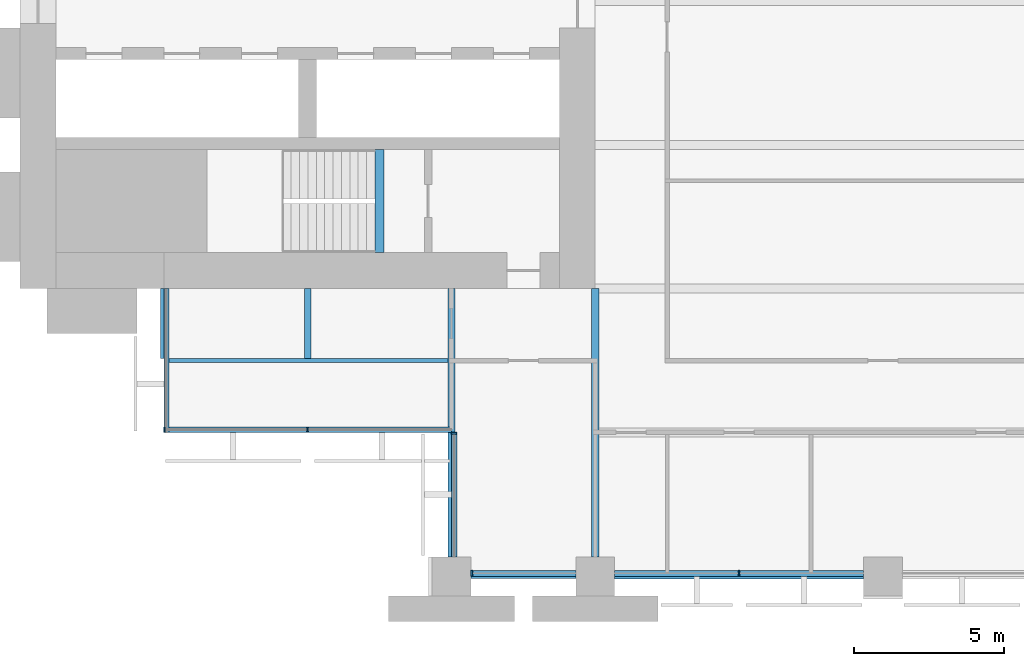
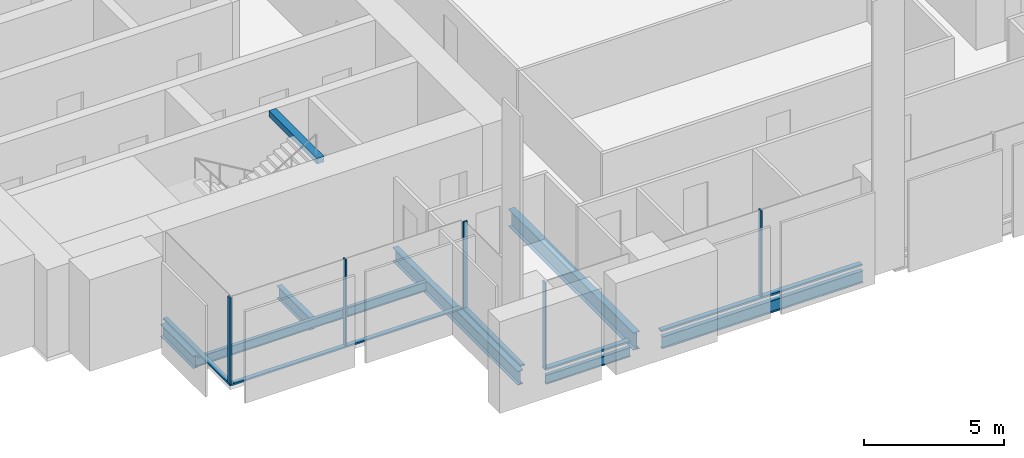
# One storey, part 2 of 14: 10 members, 8 beams, 4 elements without a shape of their own.
"""IFC4 building model written with IfcOpenShell, lengths in metres."""

from ifc_helpers import new_model, si_unit, direction, frame, origin, origin_2d, place, context, subcontext, project, spatial, rectangle, i_section, extrude, material, material_profile, profile_set, type_object, element, aggregate, save


model = new_model("IFC4")

# Units and contexts
model_context = context("Model", 3, precision=1e-05, world=origin(), true_north=direction((0.0, 1.0)))
body_context = subcontext(model_context, "Body", "Model", "MODEL_VIEW")
ifc_project = project(units=[si_unit("LENGTHUNIT", "METRE"), si_unit("AREAUNIT", "SQUARE_METRE"), si_unit("VOLUMEUNIT", "CUBIC_METRE"), si_unit("PLANEANGLEUNIT", "RADIAN"), si_unit("MASSUNIT", "GRAM", prefix="KILO")], contexts=[model_context])

# Site, building, storey
site_placement = place(None, origin())
site = spatial("IfcSite", under=ifc_project, at=site_placement, CompositionType="ELEMENT")
building_placement = place(site_placement, origin())
building = spatial("IfcBuilding", under=site, at=building_placement, Name="Baori Bourse Tower", CompositionType="ELEMENT")
storey_placement = place(building_placement, frame((0.0, 0.0, 63.0)))
storey = spatial("IfcBuildingStorey", under=building, at=storey_placement, Name="L13", CompositionType="ELEMENT", Elevation=63.0)

# Curtain wall, members
ifc_material_1 = material(Name="Pale anodised aluminium", Category="aluminium")
curtain_wall_type_1 = type_object("IfcCurtainWallType", Name="CW1 Curtain wall", PredefinedType="NOTDEFINED", material=ifc_material_1)
curtain_wall_1_placement = place(storey_placement, origin())
curtain_wall_1 = element("IfcCurtainWall", 1, at=curtain_wall_1_placement, inside=storey, type_object=curtain_wall_type_1, Name="Curtain wall CW1 L13 11", PredefinedType="NOTDEFINED")
ifc_material_2 = material(Name="Pale anodised aluminium", Category="aluminium")
ifc_material_profile_1 = material_profile(ifc_material_2, rectangle(XDim=0.199951171875, YDim=0.06005859375, at=origin_2d()), Name="Mullion 60x200")
ifc_profile_set_1 = profile_set([ifc_material_profile_1], Name="Pale anodised aluminium")
member_type_1 = type_object("IfcMemberType", Name="CW1 Curtain wall mullion", PredefinedType="MULLION", material=ifc_profile_set_1)
member_1_placement = place(storey_placement, frame((15.080078125, 0.10009765625, 0.080078125), z_axis=(0.0, 0.0, 1.0), x_axis=(0.0, 1.0, 0.0)))
member_1 = element("IfcMember", 2, at=member_1_placement, type_object=member_type_1, Name="Curtain wall CW1 mullion", PredefinedType="MULLION", context=body_context, shape_type="SweptSolid", body=[
    extrude(rectangle(XDim=0.199951171875, YDim=0.06005859375, at=origin_2d()), origin(), (0.0, 0.0, 1.0), 3.760009765625),
])
member_2_placement = place(storey_placement, frame((24.0, 0.10009765625, 0.080078125), z_axis=(0.0, 0.0, 1.0), x_axis=(0.0, 1.0, 0.0)))
member_2 = element("IfcMember", 3, at=member_2_placement, type_object=member_type_1, Name="Curtain wall CW1 mullion", PredefinedType="MULLION", context=body_context, shape_type="SweptSolid", body=[
    extrude(rectangle(XDim=0.199951171875, YDim=0.06005859375, at=origin_2d()), origin(), (0.0, 0.0, 1.0), 3.760009765625),
])
ifc_material_3 = material(Name="Pale anodised aluminium", Category="aluminium")
ifc_material_profile_2 = material_profile(ifc_material_3, rectangle(XDim=0.199951171875, YDim=0.080078125, at=origin_2d()), Name="Transom 80x200")
ifc_profile_set_2 = profile_set([ifc_material_profile_2], Name="Pale anodised aluminium")
member_type_2 = type_object("IfcMemberType", Name="CW1 Curtain wall transom", PredefinedType="USERDEFINED", material=ifc_profile_set_2)
member_3_placement = place(storey_placement, frame((15.050048828125, 0.10009765625, 0.0400390625), z_axis=(1.0, 0.0, 0.0), x_axis=(0.0, 1.0, 0.0)))
member_3 = element("IfcMember", 4, at=member_3_placement, type_object=member_type_2, Name="Curtain wall CW1 sill rail", ObjectType="TRANSOM", PredefinedType="USERDEFINED", context=body_context, shape_type="SweptSolid", body=[
    extrude(rectangle(XDim=0.199951171875, YDim=0.080078125, at=origin_2d()), origin(), (0.0, 0.0, 1.0), 3.5),
])
member_4_placement = place(storey_placement, frame((19.85009765625, 0.10009765625, 0.0400390625), z_axis=(1.0, 0.0, 0.0), x_axis=(0.0, 1.0, 0.0)))
member_4 = element("IfcMember", 5, at=member_4_placement, type_object=member_type_2, Name="Curtain wall CW1 sill rail", ObjectType="TRANSOM", PredefinedType="USERDEFINED", context=body_context, shape_type="SweptSolid", body=[
    extrude(rectangle(XDim=0.199951171875, YDim=0.080078125, at=origin_2d()), origin(), (0.0, 0.0, 1.0), 8.2998046875),
])
aggregate(curtain_wall_1, [member_3, member_1, member_4, member_2])

ifc_material_4 = material(Name="Pale anodised aluminium", Category="aluminium")
curtain_wall_type_2 = type_object("IfcCurtainWallType", Name="CW2 Curtain wall", PredefinedType="NOTDEFINED", material=ifc_material_4)
curtain_wall_2_placement = place(storey_placement, origin())
curtain_wall_2 = element("IfcCurtainWall", 6, at=curtain_wall_2_placement, inside=storey, type_object=curtain_wall_type_2, Name="Curtain wall CW2 L13 9", PredefinedType="NOTDEFINED")
ifc_material_5 = material(Name="Pale anodised aluminium", Category="aluminium")
ifc_material_profile_3 = material_profile(ifc_material_5, rectangle(XDim=0.179931640625, YDim=0.054931640625, at=origin_2d()), Name="Mullion 55x180")
ifc_profile_set_3 = profile_set([ifc_material_profile_3], Name="Pale anodised aluminium")
member_type_3 = type_object("IfcMemberType", Name="CW2 Curtain wall mullion", PredefinedType="MULLION", material=ifc_profile_set_3)
member_5_placement = place(storey_placement, frame((4.827392578125, 4.889892578125, 0.070068359375), z_axis=(0.0, 0.0, 1.0), x_axis=(0.0, 1.0, 0.0)))
member_5 = element("IfcMember", 7, at=member_5_placement, type_object=member_type_3, Name="Curtain wall CW2 mullion", PredefinedType="MULLION", context=body_context, shape_type="SweptSolid", body=[
    extrude(rectangle(XDim=0.179931640625, YDim=0.054931640625, at=origin_2d()), origin(), (0.0, 0.0, 1.0), 3.77001953125),
])
member_6_placement = place(storey_placement, frame((9.60009765625, 4.889892578125, 0.070068359375), z_axis=(0.0, 0.0, 1.0), x_axis=(0.0, 1.0, 0.0)))
member_6 = element("IfcMember", 8, at=member_6_placement, type_object=member_type_3, Name="Curtain wall CW2 mullion", PredefinedType="MULLION", context=body_context, shape_type="SweptSolid", body=[
    extrude(rectangle(XDim=0.179931640625, YDim=0.054931640625, at=origin_2d()), origin(), (0.0, 0.0, 1.0), 3.77001953125),
])

# Curtain wall, member
curtain_wall_3_placement = place(storey_placement, origin())
curtain_wall_3 = element("IfcCurtainWall", 9, at=curtain_wall_3_placement, inside=storey, type_object=curtain_wall_type_2, Name="Curtain wall CW2 L13 10", PredefinedType="NOTDEFINED")
member_7_placement = place(storey_placement, frame((14.489990234375, 4.7724609375, 0.070068359375), z_axis=(0.0, 0.0, 1.0), x_axis=(1.0, 0.0, 0.0)))
member_7 = element("IfcMember", 10, at=member_7_placement, type_object=member_type_3, Name="Curtain wall CW2 mullion", PredefinedType="MULLION", context=body_context, shape_type="SweptSolid", body=[
    extrude(rectangle(XDim=0.179931640625, YDim=0.054931640625, at=origin_2d()), origin(), (0.0, 0.0, 1.0), 3.77001953125),
])

curtain_wall_4_placement = place(storey_placement, origin())
curtain_wall_4 = element("IfcCurtainWall", 11, at=curtain_wall_4_placement, inside=storey, type_object=curtain_wall_type_2, Name="Curtain wall CW2 L13 8", PredefinedType="NOTDEFINED")
ifc_material_6 = material(Name="Pale anodised aluminium", Category="aluminium")
ifc_material_profile_4 = material_profile(ifc_material_6, rectangle(XDim=0.179931640625, YDim=0.070068359375, at=origin_2d()), Name="Transom 70x180")
ifc_profile_set_4 = profile_set([ifc_material_profile_4], Name="Pale anodised aluminium")
member_type_4 = type_object("IfcMemberType", Name="CW2 Curtain wall transom", PredefinedType="USERDEFINED", material=ifc_profile_set_4)
member_8_placement = place(storey_placement, frame((4.889892578125, 9.60009765625, 0.034912109375), z_axis=(0.0, -1.0, 0.0), x_axis=(1.0, 0.0, 0.0)))
member_8 = element("IfcMember", 12, at=member_8_placement, type_object=member_type_4, Name="Curtain wall CW2 sill rail", ObjectType="TRANSOM", PredefinedType="USERDEFINED", context=body_context, shape_type="SweptSolid", body=[
    extrude(rectangle(XDim=0.179931640625, YDim=0.070068359375, at=origin_2d()), origin(), (0.0, 0.0, 1.0), 4.800048828125),
])
aggregate(curtain_wall_4, [member_8])

# Member
member_9_placement = place(storey_placement, frame((4.800048828125, 4.889892578125, 0.034912109375), z_axis=(1.0, 0.0, 0.0), x_axis=(0.0, 1.0, 0.0)))
member_9 = element("IfcMember", 13, at=member_9_placement, type_object=member_type_4, Name="Curtain wall CW2 sill rail", ObjectType="TRANSOM", PredefinedType="USERDEFINED", context=body_context, shape_type="SweptSolid", body=[
    extrude(rectangle(XDim=0.179931640625, YDim=0.070068359375, at=origin_2d()), origin(), (0.0, 0.0, 1.0), 9.599853515625),
])

aggregate(curtain_wall_2, [member_9, member_5, member_6])

member_10_placement = place(storey_placement, frame((14.489990234375, 4.800048828125, 0.034912109375), z_axis=(0.0, -1.0, 0.0), x_axis=(1.0, 0.0, 0.0)))
member_10 = element("IfcMember", 14, at=member_10_placement, type_object=member_type_4, Name="Curtain wall CW2 sill rail", ObjectType="TRANSOM", PredefinedType="USERDEFINED", context=body_context, shape_type="SweptSolid", body=[
    extrude(rectangle(XDim=0.179931640625, YDim=0.070068359375, at=origin_2d()), origin(), (0.0, 0.0, 1.0), 4.150146484375),
])

aggregate(curtain_wall_3, [member_10, member_7])

# Beams
ifc_material_7 = material(Name="Steel A992 Gr 50", Category="steel")
ifc_material_profile_5 = material_profile(ifc_material_7, i_section(OverallWidth=0.21240234375, OverallDepth=0.54345703125, WebThickness=0.01318359375, FlangeThickness=0.021240234375, at=origin_2d()), Name="W21x83")
ifc_profile_set_5 = profile_set([ifc_material_profile_5], Name="Steel A992 Gr 50")
beam_type_1 = type_object("IfcBeamType", Name="Core bracket W21x83", PredefinedType="BEAM", material=ifc_profile_set_5)
for number, where, z_axis, x_axis, name in (
    (15, (4.800048828125, 7.270263671875, -0.431884765625), (0.0, 1.0, 0.0), (-1.0, 0.0, 0.0), "Core bracket L13"),
    (16, (9.60009765625, 7.270263671875, -0.431884765625), (0.0, 1.0, 0.0), (-1.0, 0.0, 0.0), "Core bracket L13"),
):
    element("IfcBeam", number, at=place(storey_placement, frame(where, z_axis=z_axis, x_axis=x_axis)), inside=storey, type_object=beam_type_1, Name=name, PredefinedType="BEAM", context=body_context, shape_type="SweptSolid", body=[
        extrude(i_section(OverallWidth=0.21240234375, OverallDepth=0.54345703125, WebThickness=0.01318359375, FlangeThickness=0.021240234375, at=origin_2d()), origin(), (0.0, 0.0, 1.0), 2.329833984375),
    ])
ifc_material_8 = material(Name="Steel A992 Gr 50", Category="steel")
ifc_material_profile_6 = material_profile(ifc_material_8, i_section(OverallWidth=0.140380859375, OverallDepth=0.40380859375, WebThickness=0.007080078125, FlangeThickness=0.01123046875, at=origin_2d()), Name="W16x31")
ifc_profile_set_6 = profile_set([ifc_material_profile_6], Name="Steel A992 Gr 50")
beam_type_2 = type_object("IfcBeamType", Name="Edge beam W16x31", PredefinedType="BEAM", material=ifc_profile_set_6)
beam_1_placement = place(storey_placement, frame((15.050048828125, 0.0, -0.36181640625), z_axis=(1.0, 0.0, 0.0), x_axis=(0.0, 1.0, 0.0)))
element("IfcBeam", 17, at=beam_1_placement, inside=storey, type_object=beam_type_2, Name="Edge beam L13", PredefinedType="BEAM", context=body_context, shape_type="SweptSolid", body=[
    extrude(i_section(OverallWidth=0.140380859375, OverallDepth=0.40380859375, WebThickness=0.007080078125, FlangeThickness=0.01123046875, at=origin_2d()), origin(), (0.0, 0.0, 1.0), 3.5),
])
ifc_material_9 = material(Name="Steel A992 Gr 50", Category="steel")
ifc_material_profile_7 = material_profile(ifc_material_9, i_section(OverallWidth=0.1650390625, OverallDepth=0.52587890625, WebThickness=0.0087890625, FlangeThickness=0.011474609375, at=origin_2d()), Name="W21x44")
ifc_profile_set_7 = profile_set([ifc_material_profile_7], Name="Steel A992 Gr 50")
beam_type_3 = type_object("IfcBeamType", Name="Edge beam W21x44", PredefinedType="BEAM", material=ifc_profile_set_7)
beam_2_placement = place(storey_placement, frame((19.85009765625, 0.0, -0.4228515625), z_axis=(1.0, 0.0, 0.0), x_axis=(0.0, 1.0, 0.0)))
element("IfcBeam", 18, at=beam_2_placement, inside=storey, type_object=beam_type_3, Name="Edge beam L13", PredefinedType="BEAM", context=body_context, shape_type="SweptSolid", body=[
    extrude(i_section(OverallWidth=0.1650390625, OverallDepth=0.52587890625, WebThickness=0.0087890625, FlangeThickness=0.011474609375, at=origin_2d()), origin(), (0.0, 0.0, 1.0), 8.2998046875),
])
ifc_material_10 = material(Name="Steel A992 Gr 50", Category="steel")
ifc_material_profile_8 = material_profile(ifc_material_10, i_section(OverallWidth=0.22900390625, OverallDepth=0.612060546875, WebThickness=0.011962890625, FlangeThickness=0.01953125, at=origin_2d()), Name="W24x84")
ifc_profile_set_8 = profile_set([ifc_material_profile_8], Name="Steel A992 Gr 50")
beam_type_4 = type_object("IfcBeamType", Name="Floor beam W24x84", PredefinedType="BEAM", material=ifc_profile_set_8)
beam_3_placement = place(storey_placement, frame((14.39990234375, 0.64990234375, -0.466064453125), z_axis=(0.0, 1.0, 0.0), x_axis=(-1.0, 0.0, 0.0)))
element("IfcBeam", 19, at=beam_3_placement, inside=storey, type_object=beam_type_4, Name="Floor beam L13", PredefinedType="BEAM", context=body_context, shape_type="SweptSolid", body=[
    extrude(i_section(OverallWidth=0.22900390625, OverallDepth=0.612060546875, WebThickness=0.011962890625, FlangeThickness=0.01953125, at=origin_2d()), origin(), (0.0, 0.0, 1.0), 8.9501953125),
])
ifc_material_11 = material(Name="Steel A992 Gr 50", Category="steel")
ifc_material_profile_9 = material_profile(ifc_material_11, i_section(OverallWidth=0.2666015625, OverallDepth=0.7568359375, WebThickness=0.013916015625, FlangeThickness=0.019287109375, at=origin_2d()), Name="W30x108")
ifc_profile_set_9 = profile_set([ifc_material_profile_9], Name="Steel A992 Gr 50")
beam_type_5 = type_object("IfcBeamType", Name="Girder W30x108", PredefinedType="BEAM", material=ifc_profile_set_9)
beam_4_placement = place(storey_placement, frame((19.199951171875, 0.64990234375, -0.53857421875), z_axis=(0.0, 1.0, 0.0), x_axis=(-1.0, 0.0, 0.0)))
element("IfcBeam", 20, at=beam_4_placement, inside=storey, type_object=beam_type_5, Name="Girder L13", PredefinedType="BEAM", context=body_context, shape_type="SweptSolid", body=[
    extrude(i_section(OverallWidth=0.2666015625, OverallDepth=0.7568359375, WebThickness=0.013916015625, FlangeThickness=0.019287109375, at=origin_2d()), origin(), (0.0, 0.0, 1.0), 8.9501953125),
])
ifc_material_12 = material(Name="Concrete f'c 50 MPa", Category="concrete")
ifc_material_profile_10 = material_profile(ifc_material_12, rectangle(XDim=0.300048828125, YDim=0.25, at=origin_2d()), Name="RC 300x250")
ifc_profile_set_10 = profile_set([ifc_material_profile_10], Name="Concrete f'c 50 MPa")
beam_type_6 = type_object("IfcBeamType", Name="Stair nib beam RC 300x250", PredefinedType="BEAM", material=ifc_profile_set_10)
beam_5_placement = place(storey_placement, frame((12.0, 10.800048828125, 3.715087890625), z_axis=(0.0, 1.0, 0.0), x_axis=(-1.0, 0.0, 0.0)))
element("IfcBeam", 21, at=beam_5_placement, inside=storey, type_object=beam_type_6, Name="Stair WA nib beam L14", PredefinedType="BEAM", context=body_context, shape_type="SweptSolid", body=[
    extrude(rectangle(XDim=0.300048828125, YDim=0.25, at=origin_2d()), origin(), (0.0, 0.0, 1.0), 3.449951171875),
])
ifc_material_13 = material(Name="Steel A992 Gr 50", Category="steel")
ifc_material_profile_11 = material_profile(ifc_material_13, i_section(OverallWidth=0.140380859375, OverallDepth=0.40380859375, WebThickness=0.007080078125, FlangeThickness=0.01123046875, at=origin_2d()), Name="W16x31")
ifc_profile_set_11 = profile_set([ifc_material_profile_11], Name="Steel A992 Gr 50")
beam_type_7 = type_object("IfcBeamType", Name="Trimmer beam W16x31", PredefinedType="BEAM", material=ifc_profile_set_11)
beam_6_placement = place(storey_placement, frame((4.800048828125, 7.199951171875, -0.36181640625), z_axis=(1.0, 0.0, 0.0), x_axis=(0.0, 1.0, 0.0)))
element("IfcBeam", 22, at=beam_6_placement, inside=storey, type_object=beam_type_7, Name="Trimmer beam L13", PredefinedType="BEAM", context=body_context, shape_type="SweptSolid", body=[
    extrude(i_section(OverallWidth=0.140380859375, OverallDepth=0.40380859375, WebThickness=0.007080078125, FlangeThickness=0.01123046875, at=origin_2d()), origin(), (0.0, 0.0, 1.0), 9.4853515625),
])

save(model, "model.ifc")
